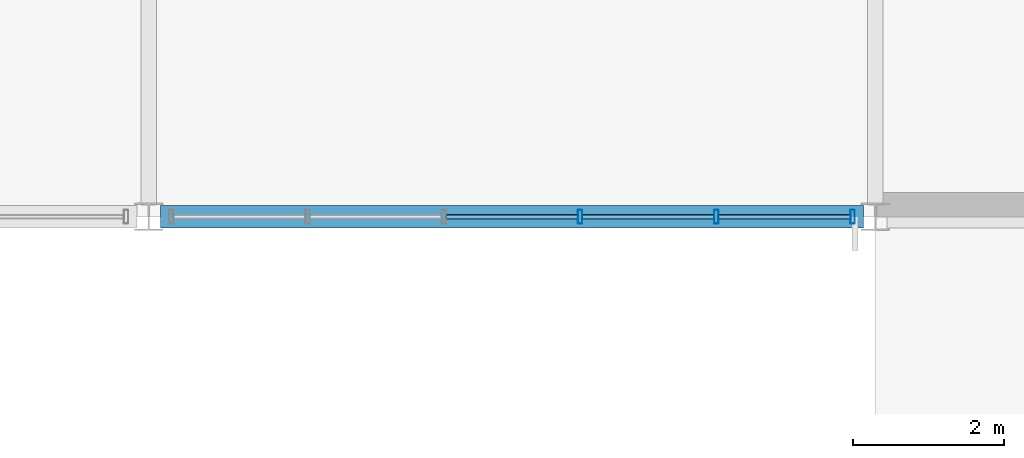
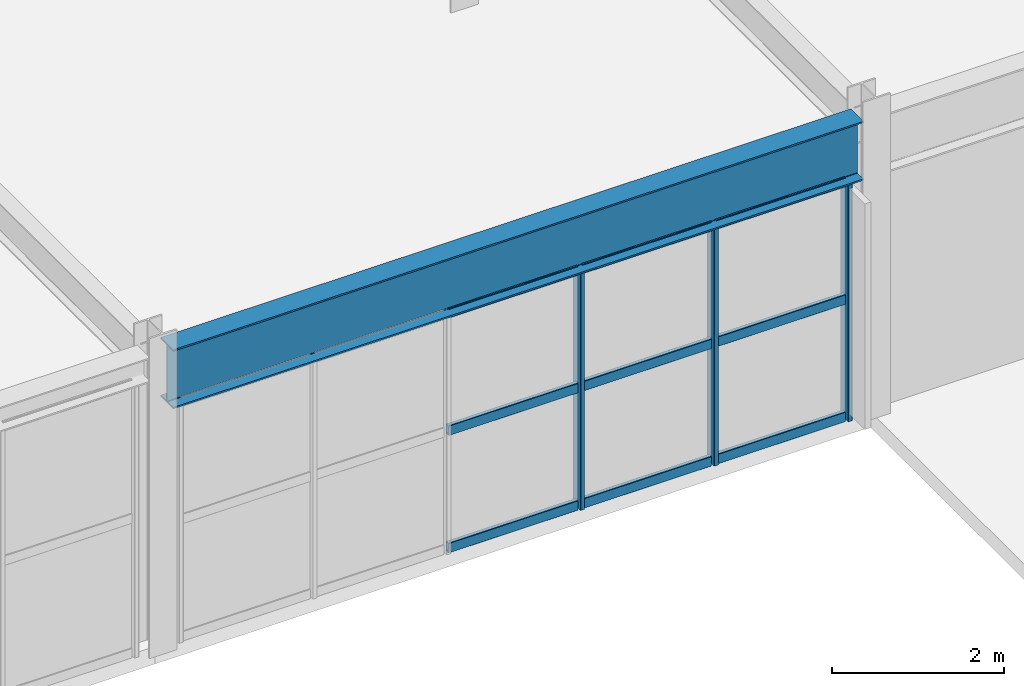
# One storey, part 51 of 170: 12 members, 1 beam, 1 element without a shape of its own.
"""IFC4 building model written with IfcOpenShell, lengths in metres."""

from ifc_helpers import new_model, si_unit, direction, frame, origin, origin_2d, place, context, subcontext, project, spatial, hollow_rectangle, i_section, extrude, material, material_profile, profile_set, type_object, element, aggregate, save


model = new_model("IFC4")

# Units and contexts
model_context = context("Model", 3, precision=1e-05, world=origin(), true_north=direction((0.0, 1.0)))
body_context = subcontext(model_context, "Body", "Model", "MODEL_VIEW")
ifc_project = project(units=[si_unit("LENGTHUNIT", "METRE"), si_unit("AREAUNIT", "SQUARE_METRE"), si_unit("VOLUMEUNIT", "CUBIC_METRE"), si_unit("PLANEANGLEUNIT", "RADIAN"), si_unit("MASSUNIT", "GRAM", prefix="KILO")], contexts=[model_context])

# Site, building, storey
site_placement = place(None, origin())
site = spatial("IfcSite", under=ifc_project, at=site_placement, CompositionType="ELEMENT")
building_placement = place(site_placement, origin())
building = spatial("IfcBuilding", under=site, at=building_placement, Name="Coralgate Yard Interchange", CompositionType="ELEMENT")
storey_placement = place(building_placement, frame((0.0, 0.0, 6.0)))
storey = spatial("IfcBuildingStorey", under=building, at=storey_placement, Name="L01", CompositionType="ELEMENT", Elevation=6.0)

# Beam
ifc_material_1 = material(Name="Structural steel S355J2", Category="steel")
ifc_material_profile_1 = material_profile(ifc_material_1, i_section(OverallWidth=0.29248046875, OverallDepth=0.8408203125, WebThickness=0.0146484375, FlangeThickness=0.021728515625, FilletRadius=0.017822265625, at=origin_2d()), Name="UB 838x292x194")
ifc_profile_set_1 = profile_set([ifc_material_profile_1], Name="Structural steel S355J2")
beam_type = type_object("IfcBeamType", Name="BM-SG-2", PredefinedType="BEAM", material=ifc_profile_set_1)
beam_placement = place(storey_placement, frame((38.556396484375, 38.39990234375, 3.82958984375), z_axis=(1.0, 0.0, 0.0), x_axis=(0.0, 1.0, 0.0)))
element("IfcBeam", 1, at=beam_placement, inside=storey, type_object=beam_type, Name="L01 primary grid beam Y4 X4-5", PredefinedType="BEAM", context=body_context, shape_type="SweptSolid", body=[
    extrude(i_section(OverallWidth=0.29248046875, OverallDepth=0.8408203125, WebThickness=0.0146484375, FlangeThickness=0.021728515625, FilletRadius=0.017822265625, at=origin_2d()), origin(), (0.0, 0.0, 1.0), 9.287353515625),
])

# Curtain wall, members
ifc_material_2 = material(Name="Anodised coastal aluminium and solar-control low-E glass", Category="aluminium")
curtain_wall_type = type_object("IfcCurtainWallType", Name="CW-CW-L01-B", PredefinedType="NOTDEFINED", material=ifc_material_2)
curtain_wall_placement = place(storey_placement, origin())
curtain_wall = element("IfcCurtainWall", 2, at=curtain_wall_placement, inside=storey, type_object=curtain_wall_type, Name="L01 unitised curtain wall CW-L01-S-04-04", PredefinedType="NOTDEFINED")
ifc_material_3 = material(Name="Anodised coastal aluminium 6063-T6", Category="aluminium")
ifc_material_profile_2 = material_profile(ifc_material_3, hollow_rectangle(XDim=0.06005859375, YDim=0.179931640625, WallThickness=0.00390625, InnerFilletRadius=0.00390625, OuterFilletRadius=0.008056640625, at=origin_2d()), Name="ALU 60x180x4")
ifc_profile_set_2 = profile_set([ifc_material_profile_2], Name="Anodised coastal aluminium 6063-T6")
member_type_1 = type_object("IfcMemberType", Name="MB-MUL-180", PredefinedType="MULLION", material=ifc_profile_set_2)
member_1_placement = place(storey_placement, frame((47.699951171875, 38.39990234375, 0.0), z_axis=(0.0, 0.0, 1.0), x_axis=(1.0, 0.0, 0.0)))
member_1 = element("IfcMember", 3, at=member_1_placement, type_object=member_type_1, Name="CW-L01-S-04-04 vertical mullion 1", PredefinedType="MULLION", context=body_context, shape_type="SweptSolid", body=[
    extrude(hollow_rectangle(XDim=0.06005859375, YDim=0.179931640625, WallThickness=0.00390625, InnerFilletRadius=0.00390625, OuterFilletRadius=0.008056640625, at=origin_2d()), origin(), (0.0, 0.0, 1.0), 3.4091796875),
])
member_2_placement = place(storey_placement, frame((45.89990234375, 38.39990234375, 0.0), z_axis=(0.0, 0.0, 1.0), x_axis=(1.0, 0.0, 0.0)))
member_2 = element("IfcMember", 4, at=member_2_placement, type_object=member_type_1, Name="CW-L01-S-04-04 vertical mullion 2", PredefinedType="MULLION", context=body_context, shape_type="SweptSolid", body=[
    extrude(hollow_rectangle(XDim=0.06005859375, YDim=0.179931640625, WallThickness=0.00390625, InnerFilletRadius=0.00390625, OuterFilletRadius=0.008056640625, at=origin_2d()), origin(), (0.0, 0.0, 1.0), 3.4091796875),
])
member_3_placement = place(storey_placement, frame((44.10009765625, 38.39990234375, 0.0), z_axis=(0.0, 0.0, 1.0), x_axis=(1.0, 0.0, 0.0)))
member_3 = element("IfcMember", 5, at=member_3_placement, type_object=member_type_1, Name="CW-L01-S-04-04 vertical mullion 3", PredefinedType="MULLION", context=body_context, shape_type="SweptSolid", body=[
    extrude(hollow_rectangle(XDim=0.06005859375, YDim=0.179931640625, WallThickness=0.00390625, InnerFilletRadius=0.00390625, OuterFilletRadius=0.008056640625, at=origin_2d()), origin(), (0.0, 0.0, 1.0), 3.4091796875),
])
ifc_material_profile_3 = material_profile(ifc_material_3, hollow_rectangle(XDim=0.06005859375, YDim=0.139892578125, WallThickness=0.00341796875, InnerFilletRadius=0.00341796875, OuterFilletRadius=0.007080078125, at=origin_2d()), Name="ALU 60x140x3.5")
ifc_profile_set_3 = profile_set([ifc_material_profile_3], Name="Anodised coastal aluminium 6063-T6")
member_type_2 = type_object("IfcMemberType", Name="MB-TRN-140", PredefinedType="USERDEFINED", material=ifc_profile_set_3)
member_4_placement = place(storey_placement, frame((47.669921875, 38.39990234375, 0.034912109375), z_axis=(-1.0, 0.0, 0.0), x_axis=(0.0, -1.0, 0.0)))
member_4 = element("IfcMember", 6, at=member_4_placement, type_object=member_type_2, Name="CW-L01-S-04-04 horizontal transom 1-1", ObjectType="TRANSOM", PredefinedType="USERDEFINED", context=body_context, shape_type="SweptSolid", body=[
    extrude(hollow_rectangle(XDim=0.06005859375, YDim=0.139892578125, WallThickness=0.00341796875, InnerFilletRadius=0.00341796875, OuterFilletRadius=0.007080078125, at=origin_2d()), origin(), (0.0, 0.0, 1.0), 1.739990234375),
])
member_5_placement = place(storey_placement, frame((47.669921875, 38.39990234375, 1.70458984375), z_axis=(-1.0, 0.0, 0.0), x_axis=(0.0, -1.0, 0.0)))
member_5 = element("IfcMember", 7, at=member_5_placement, type_object=member_type_2, Name="CW-L01-S-04-04 horizontal transom 1-2", ObjectType="TRANSOM", PredefinedType="USERDEFINED", context=body_context, shape_type="SweptSolid", body=[
    extrude(hollow_rectangle(XDim=0.06005859375, YDim=0.139892578125, WallThickness=0.00341796875, InnerFilletRadius=0.00341796875, OuterFilletRadius=0.007080078125, at=origin_2d()), origin(), (0.0, 0.0, 1.0), 1.739990234375),
])
member_6_placement = place(storey_placement, frame((47.669921875, 38.39990234375, 3.374267578125), z_axis=(-1.0, 0.0, 0.0), x_axis=(0.0, -1.0, 0.0)))
member_6 = element("IfcMember", 8, at=member_6_placement, type_object=member_type_2, Name="CW-L01-S-04-04 horizontal transom 1-3", ObjectType="TRANSOM", PredefinedType="USERDEFINED", context=body_context, shape_type="SweptSolid", body=[
    extrude(hollow_rectangle(XDim=0.06005859375, YDim=0.139892578125, WallThickness=0.00341796875, InnerFilletRadius=0.00341796875, OuterFilletRadius=0.007080078125, at=origin_2d()), origin(), (0.0, 0.0, 1.0), 1.739990234375),
])
member_7_placement = place(storey_placement, frame((45.8701171875, 38.39990234375, 0.034912109375), z_axis=(-1.0, 0.0, 0.0), x_axis=(0.0, -1.0, 0.0)))
member_7 = element("IfcMember", 9, at=member_7_placement, type_object=member_type_2, Name="CW-L01-S-04-04 horizontal transom 2-1", ObjectType="TRANSOM", PredefinedType="USERDEFINED", context=body_context, shape_type="SweptSolid", body=[
    extrude(hollow_rectangle(XDim=0.06005859375, YDim=0.139892578125, WallThickness=0.00341796875, InnerFilletRadius=0.00341796875, OuterFilletRadius=0.007080078125, at=origin_2d()), origin(), (0.0, 0.0, 1.0), 1.740234375),
])
member_8_placement = place(storey_placement, frame((45.8701171875, 38.39990234375, 1.70458984375), z_axis=(-1.0, 0.0, 0.0), x_axis=(0.0, -1.0, 0.0)))
member_8 = element("IfcMember", 10, at=member_8_placement, type_object=member_type_2, Name="CW-L01-S-04-04 horizontal transom 2-2", ObjectType="TRANSOM", PredefinedType="USERDEFINED", context=body_context, shape_type="SweptSolid", body=[
    extrude(hollow_rectangle(XDim=0.06005859375, YDim=0.139892578125, WallThickness=0.00341796875, InnerFilletRadius=0.00341796875, OuterFilletRadius=0.007080078125, at=origin_2d()), origin(), (0.0, 0.0, 1.0), 1.740234375),
])
member_9_placement = place(storey_placement, frame((45.8701171875, 38.39990234375, 3.374267578125), z_axis=(-1.0, 0.0, 0.0), x_axis=(0.0, -1.0, 0.0)))
member_9 = element("IfcMember", 11, at=member_9_placement, type_object=member_type_2, Name="CW-L01-S-04-04 horizontal transom 2-3", ObjectType="TRANSOM", PredefinedType="USERDEFINED", context=body_context, shape_type="SweptSolid", body=[
    extrude(hollow_rectangle(XDim=0.06005859375, YDim=0.139892578125, WallThickness=0.00341796875, InnerFilletRadius=0.00341796875, OuterFilletRadius=0.007080078125, at=origin_2d()), origin(), (0.0, 0.0, 1.0), 1.740234375),
])
member_10_placement = place(storey_placement, frame((44.070068359375, 38.39990234375, 0.034912109375), z_axis=(-1.0, 0.0, 0.0), x_axis=(0.0, -1.0, 0.0)))
member_10 = element("IfcMember", 12, at=member_10_placement, type_object=member_type_2, Name="CW-L01-S-04-04 horizontal transom 3-1", ObjectType="TRANSOM", PredefinedType="USERDEFINED", context=body_context, shape_type="SweptSolid", body=[
    extrude(hollow_rectangle(XDim=0.06005859375, YDim=0.139892578125, WallThickness=0.00341796875, InnerFilletRadius=0.00341796875, OuterFilletRadius=0.007080078125, at=origin_2d()), origin(), (0.0, 0.0, 1.0), 1.739990234375),
])
member_11_placement = place(storey_placement, frame((44.070068359375, 38.39990234375, 1.70458984375), z_axis=(-1.0, 0.0, 0.0), x_axis=(0.0, -1.0, 0.0)))
member_11 = element("IfcMember", 13, at=member_11_placement, type_object=member_type_2, Name="CW-L01-S-04-04 horizontal transom 3-2", ObjectType="TRANSOM", PredefinedType="USERDEFINED", context=body_context, shape_type="SweptSolid", body=[
    extrude(hollow_rectangle(XDim=0.06005859375, YDim=0.139892578125, WallThickness=0.00341796875, InnerFilletRadius=0.00341796875, OuterFilletRadius=0.007080078125, at=origin_2d()), origin(), (0.0, 0.0, 1.0), 1.739990234375),
])
member_12_placement = place(storey_placement, frame((44.070068359375, 38.39990234375, 3.374267578125), z_axis=(-1.0, 0.0, 0.0), x_axis=(0.0, -1.0, 0.0)))
member_12 = element("IfcMember", 14, at=member_12_placement, type_object=member_type_2, Name="CW-L01-S-04-04 horizontal transom 3-3", ObjectType="TRANSOM", PredefinedType="USERDEFINED", context=body_context, shape_type="SweptSolid", body=[
    extrude(hollow_rectangle(XDim=0.06005859375, YDim=0.139892578125, WallThickness=0.00341796875, InnerFilletRadius=0.00341796875, OuterFilletRadius=0.007080078125, at=origin_2d()), origin(), (0.0, 0.0, 1.0), 1.739990234375),
])
aggregate(curtain_wall, [member_1, member_2, member_3, member_4, member_5, member_6, member_7, member_8, member_9, member_10, member_11, member_12])

save(model, "model.ifc")
